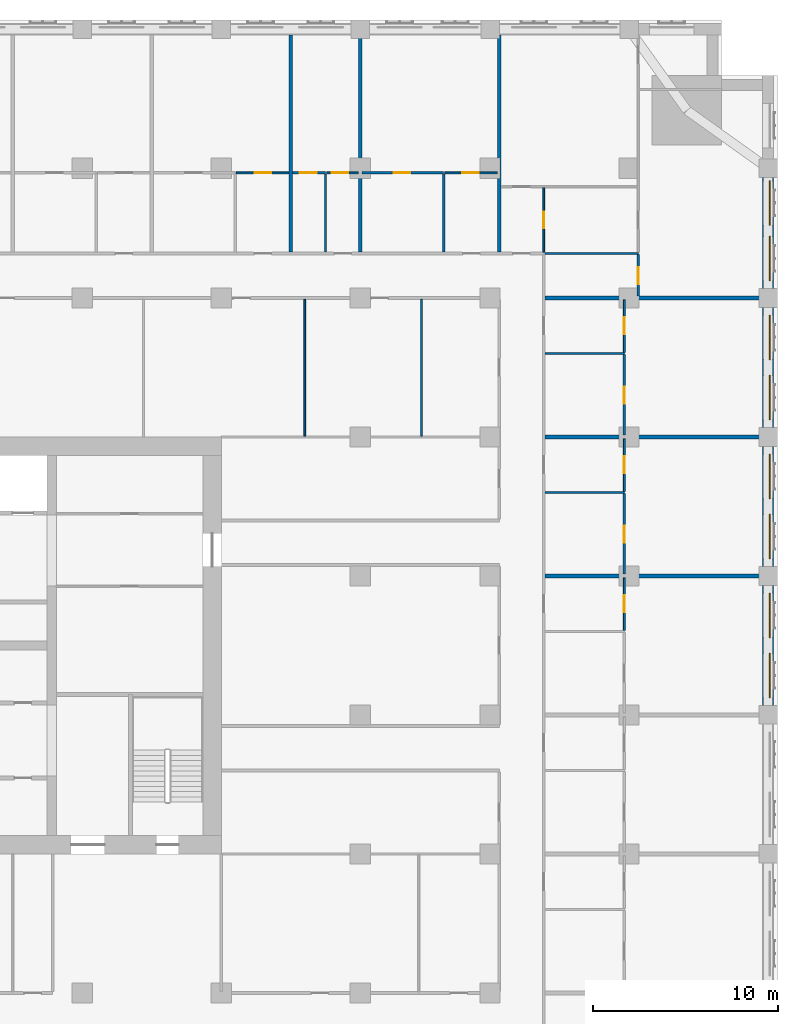
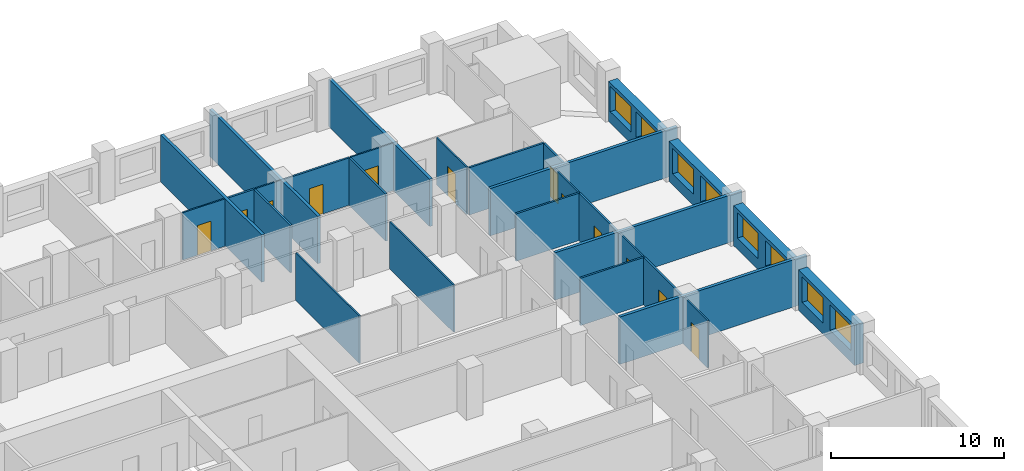
# One storey, part 10 of 14: 29 walls, 12 doors, 8 windows, 20 openings.
"""IFC4 building model written with IfcOpenShell, lengths in metres."""

from ifc_helpers import new_model, si_unit, direction, frame, frame_2d, origin, place, context, subcontext, project, spatial, rectangle, extrude, material, layer, layer_set, type_object, element, fill, save


model = new_model("IFC4")

# Units and contexts
model_context = context("Model", 3, precision=1e-05, world=origin(), true_north=direction((0.0, 1.0)))
body_context = subcontext(model_context, "Body", "Model", "MODEL_VIEW")
ifc_project = project(units=[si_unit("LENGTHUNIT", "METRE"), si_unit("AREAUNIT", "SQUARE_METRE"), si_unit("VOLUMEUNIT", "CUBIC_METRE"), si_unit("PLANEANGLEUNIT", "RADIAN"), si_unit("MASSUNIT", "GRAM", prefix="KILO")], contexts=[model_context])

# Site, building, storey
site_placement = place(None, origin())
site = spatial("IfcSite", under=ifc_project, at=site_placement, CompositionType="ELEMENT")
building_placement = place(site_placement, origin())
building = spatial("IfcBuilding", under=site, at=building_placement, Name="Tamorin Gate", CompositionType="ELEMENT")
storey_placement = place(building_placement, frame((0.0, 0.0, 100.699951171875)))
storey = spatial("IfcBuildingStorey", under=building, at=storey_placement, Name="L24", CompositionType="ELEMENT", Elevation=100.699951171875)

# Wall, openings, windows
ifc_material_1 = material(Name="Precast concrete C40/50", Category="concrete")
ifc_layer_1 = layer(ifc_material_1, 0.60009765625)
ifc_layer_set_1 = layer_set([ifc_layer_1], Name="Precast concrete C40/50")
wall_type_1 = type_object("IfcWallType", Name="Board-marked concrete facade panel 600", PredefinedType="SOLIDWALL", material=ifc_layer_set_1)
wall_1_placement = place(storey_placement, frame((89.5, 68.0, 0.0), z_axis=(0.0, 0.0, 1.0), x_axis=(0.0, 1.0, 0.0)))
wall_1 = element("IfcWall", 1, at=wall_1_placement, inside=storey, type_object=wall_type_1, Name="Facade panel", PredefinedType="SOLIDWALL", context=body_context, shape_type="SweptSolid", body=[
    extrude(rectangle(XDim=6.5, YDim=0.60009765625, at=frame_2d((3.25, 0.0))), origin(), (0.0, 0.0, 1.0), 2.85009765625),
])
opening_1_placement = place(wall_1_placement, frame((0.425048828125, 0.0, 0.800048828125)))
opening_1 = element("IfcOpeningElement", 2, at=opening_1_placement, cuts=wall_1, Name="Opening WN1", PredefinedType="OPENING", context=body_context, shape_type="SweptSolid", body=[
    extrude(rectangle(XDim=2.39990234375, YDim=1.800048828125, at=frame_2d((1.199951171875, 0.89990234375))), frame((0.0, 0.31005859375, 0.0), z_axis=(0.0, -1.0, 0.0), x_axis=(1.0, 0.0, 0.0)), (0.0, 0.0, 1.0), 0.6201171875),
])
opening_2_placement = place(wall_1_placement, frame((3.675048828125, 0.0, 0.800048828125)))
opening_2 = element("IfcOpeningElement", 3, at=opening_2_placement, cuts=wall_1, Name="Opening WN1", PredefinedType="OPENING", context=body_context, shape_type="SweptSolid", body=[
    extrude(rectangle(XDim=2.39990234375, YDim=1.800048828125, at=frame_2d((1.199951171875, 0.89990234375))), frame((0.0, 0.31005859375, 0.0), z_axis=(0.0, -1.0, 0.0), x_axis=(1.0, 0.0, 0.0)), (0.0, 0.0, 1.0), 0.6201171875),
])
ifc_material_2 = material(Name="Clear glass in aluminium frame", Category="aluminium")
window_type = type_object("IfcWindowType", Name="Deep-set window 2400x1800", PartitioningType="SINGLE_PANEL", PredefinedType="WINDOW", material=ifc_material_2)
window_1_placement = place(opening_1_placement, origin())
window_1 = element("IfcWindow", 4, at=window_1_placement, inside=storey, type_object=window_type, Name="Deep-set window", OverallHeight=1.800048828125, OverallWidth=2.39990234375, PartitioningType="SINGLE_PANEL", PredefinedType="WINDOW", context=body_context, shape_type="SweptSolid", body=[
    extrude(rectangle(XDim=2.39990234375, YDim=1.800048828125, at=frame_2d((1.199951171875, 0.89990234375))), frame((0.0, -0.070068359375, 0.0), z_axis=(0.0, -1.0, 0.0), x_axis=(1.0, 0.0, 0.0)), (0.0, 0.0, 1.0), 0.06005859375),
])
fill(opening_1, window_1)
window_2_placement = place(opening_2_placement, origin())
window_2 = element("IfcWindow", 5, at=window_2_placement, inside=storey, type_object=window_type, Name="Deep-set window", OverallHeight=1.800048828125, OverallWidth=2.39990234375, PartitioningType="SINGLE_PANEL", PredefinedType="WINDOW", context=body_context, shape_type="SweptSolid", body=[
    extrude(rectangle(XDim=2.39990234375, YDim=1.800048828125, at=frame_2d((1.199951171875, 0.89990234375))), frame((0.0, -0.070068359375, 0.0), z_axis=(0.0, -1.0, 0.0), x_axis=(1.0, 0.0, 0.0)), (0.0, 0.0, 1.0), 0.06005859375),
])
fill(opening_2, window_2)

wall_2_placement = place(storey_placement, frame((89.5, 75.5, 0.0), z_axis=(0.0, 0.0, 1.0), x_axis=(0.0, 1.0, 0.0)))
wall_2 = element("IfcWall", 6, at=wall_2_placement, inside=storey, type_object=wall_type_1, Name="Facade panel", PredefinedType="SOLIDWALL", context=body_context, shape_type="SweptSolid", body=[
    extrude(rectangle(XDim=6.5, YDim=0.60009765625, at=frame_2d((3.25, 0.0))), origin(), (0.0, 0.0, 1.0), 2.85009765625),
])
opening_3_placement = place(wall_2_placement, frame((0.425048828125, 0.0, 0.800048828125)))
opening_3 = element("IfcOpeningElement", 7, at=opening_3_placement, cuts=wall_2, Name="Opening WN1", PredefinedType="OPENING", context=body_context, shape_type="SweptSolid", body=[
    extrude(rectangle(XDim=2.39990234375, YDim=1.800048828125, at=frame_2d((1.199951171875, 0.89990234375))), frame((0.0, 0.31005859375, 0.0), z_axis=(0.0, -1.0, 0.0), x_axis=(1.0, 0.0, 0.0)), (0.0, 0.0, 1.0), 0.6201171875),
])
opening_4_placement = place(wall_2_placement, frame((3.675048828125, 0.0, 0.800048828125)))
opening_4 = element("IfcOpeningElement", 8, at=opening_4_placement, cuts=wall_2, Name="Opening WN1", PredefinedType="OPENING", context=body_context, shape_type="SweptSolid", body=[
    extrude(rectangle(XDim=2.39990234375, YDim=1.800048828125, at=frame_2d((1.199951171875, 0.89990234375))), frame((0.0, 0.31005859375, 0.0), z_axis=(0.0, -1.0, 0.0), x_axis=(1.0, 0.0, 0.0)), (0.0, 0.0, 1.0), 0.6201171875),
])
window_3_placement = place(opening_3_placement, origin())
window_3 = element("IfcWindow", 9, at=window_3_placement, inside=storey, type_object=window_type, Name="Deep-set window", OverallHeight=1.800048828125, OverallWidth=2.39990234375, PartitioningType="SINGLE_PANEL", PredefinedType="WINDOW", context=body_context, shape_type="SweptSolid", body=[
    extrude(rectangle(XDim=2.39990234375, YDim=1.800048828125, at=frame_2d((1.199951171875, 0.89990234375))), frame((0.0, -0.070068359375, 0.0), z_axis=(0.0, -1.0, 0.0), x_axis=(1.0, 0.0, 0.0)), (0.0, 0.0, 1.0), 0.06005859375),
])
fill(opening_3, window_3)
window_4_placement = place(opening_4_placement, origin())
window_4 = element("IfcWindow", 10, at=window_4_placement, inside=storey, type_object=window_type, Name="Deep-set window", OverallHeight=1.800048828125, OverallWidth=2.39990234375, PartitioningType="SINGLE_PANEL", PredefinedType="WINDOW", context=body_context, shape_type="SweptSolid", body=[
    extrude(rectangle(XDim=2.39990234375, YDim=1.800048828125, at=frame_2d((1.199951171875, 0.89990234375))), frame((0.0, -0.070068359375, 0.0), z_axis=(0.0, -1.0, 0.0), x_axis=(1.0, 0.0, 0.0)), (0.0, 0.0, 1.0), 0.06005859375),
])
fill(opening_4, window_4)

wall_3_placement = place(storey_placement, frame((89.5, 83.0, 0.0), z_axis=(0.0, 0.0, 1.0), x_axis=(0.0, 1.0, 0.0)))
wall_3 = element("IfcWall", 11, at=wall_3_placement, inside=storey, type_object=wall_type_1, Name="Facade panel", PredefinedType="SOLIDWALL", context=body_context, shape_type="SweptSolid", body=[
    extrude(rectangle(XDim=6.5, YDim=0.60009765625, at=frame_2d((3.25, 0.0))), origin(), (0.0, 0.0, 1.0), 2.85009765625),
])
opening_5_placement = place(wall_3_placement, frame((0.425048828125, 0.0, 0.800048828125)))
opening_5 = element("IfcOpeningElement", 12, at=opening_5_placement, cuts=wall_3, Name="Opening WN1", PredefinedType="OPENING", context=body_context, shape_type="SweptSolid", body=[
    extrude(rectangle(XDim=2.39990234375, YDim=1.800048828125, at=frame_2d((1.199951171875, 0.89990234375))), frame((0.0, 0.31005859375, 0.0), z_axis=(0.0, -1.0, 0.0), x_axis=(1.0, 0.0, 0.0)), (0.0, 0.0, 1.0), 0.6201171875),
])
opening_6_placement = place(wall_3_placement, frame((3.675048828125, 0.0, 0.800048828125)))
opening_6 = element("IfcOpeningElement", 13, at=opening_6_placement, cuts=wall_3, Name="Opening WN1", PredefinedType="OPENING", context=body_context, shape_type="SweptSolid", body=[
    extrude(rectangle(XDim=2.39990234375, YDim=1.800048828125, at=frame_2d((1.199951171875, 0.89990234375))), frame((0.0, 0.31005859375, 0.0), z_axis=(0.0, -1.0, 0.0), x_axis=(1.0, 0.0, 0.0)), (0.0, 0.0, 1.0), 0.6201171875),
])
window_5_placement = place(opening_5_placement, origin())
window_5 = element("IfcWindow", 14, at=window_5_placement, inside=storey, type_object=window_type, Name="Deep-set window", OverallHeight=1.800048828125, OverallWidth=2.39990234375, PartitioningType="SINGLE_PANEL", PredefinedType="WINDOW", context=body_context, shape_type="SweptSolid", body=[
    extrude(rectangle(XDim=2.39990234375, YDim=1.800048828125, at=frame_2d((1.199951171875, 0.89990234375))), frame((0.0, -0.070068359375, 0.0), z_axis=(0.0, -1.0, 0.0), x_axis=(1.0, 0.0, 0.0)), (0.0, 0.0, 1.0), 0.06005859375),
])
fill(opening_5, window_5)
window_6_placement = place(opening_6_placement, origin())
window_6 = element("IfcWindow", 15, at=window_6_placement, inside=storey, type_object=window_type, Name="Deep-set window", OverallHeight=1.800048828125, OverallWidth=2.39990234375, PartitioningType="SINGLE_PANEL", PredefinedType="WINDOW", context=body_context, shape_type="SweptSolid", body=[
    extrude(rectangle(XDim=2.39990234375, YDim=1.800048828125, at=frame_2d((1.199951171875, 0.89990234375))), frame((0.0, -0.070068359375, 0.0), z_axis=(0.0, -1.0, 0.0), x_axis=(1.0, 0.0, 0.0)), (0.0, 0.0, 1.0), 0.06005859375),
])
fill(opening_6, window_6)

wall_4_placement = place(storey_placement, frame((89.5, 90.5, 0.0), z_axis=(0.0, 0.0, 1.0), x_axis=(0.0, 1.0, 0.0)))
wall_4 = element("IfcWall", 16, at=wall_4_placement, inside=storey, type_object=wall_type_1, Name="Facade panel", PredefinedType="SOLIDWALL", context=body_context, shape_type="SweptSolid", body=[
    extrude(rectangle(XDim=6.0, YDim=0.60009765625, at=frame_2d((3.0, 0.0))), origin(), (0.0, 0.0, 1.0), 2.85009765625),
])
opening_7_placement = place(wall_4_placement, frame((0.425048828125, 0.0, 0.800048828125)))
opening_7 = element("IfcOpeningElement", 17, at=opening_7_placement, cuts=wall_4, Name="Opening WN1", PredefinedType="OPENING", context=body_context, shape_type="SweptSolid", body=[
    extrude(rectangle(XDim=2.39990234375, YDim=1.800048828125, at=frame_2d((1.199951171875, 0.89990234375))), frame((0.0, 0.31005859375, 0.0), z_axis=(0.0, -1.0, 0.0), x_axis=(1.0, 0.0, 0.0)), (0.0, 0.0, 1.0), 0.6201171875),
])
opening_8_placement = place(wall_4_placement, frame((3.425048828125, 0.0, 0.800048828125)))
opening_8 = element("IfcOpeningElement", 18, at=opening_8_placement, cuts=wall_4, Name="Opening WN1", PredefinedType="OPENING", context=body_context, shape_type="SweptSolid", body=[
    extrude(rectangle(XDim=2.39990234375, YDim=1.800048828125, at=frame_2d((1.199951171875, 0.89990234375))), frame((0.0, 0.31005859375, 0.0), z_axis=(0.0, -1.0, 0.0), x_axis=(1.0, 0.0, 0.0)), (0.0, 0.0, 1.0), 0.6201171875),
])
window_7_placement = place(opening_7_placement, origin())
window_7 = element("IfcWindow", 19, at=window_7_placement, inside=storey, type_object=window_type, Name="Deep-set window", OverallHeight=1.800048828125, OverallWidth=2.39990234375, PartitioningType="SINGLE_PANEL", PredefinedType="WINDOW", context=body_context, shape_type="SweptSolid", body=[
    extrude(rectangle(XDim=2.39990234375, YDim=1.800048828125, at=frame_2d((1.199951171875, 0.89990234375))), frame((0.0, -0.070068359375, 0.0), z_axis=(0.0, -1.0, 0.0), x_axis=(1.0, 0.0, 0.0)), (0.0, 0.0, 1.0), 0.06005859375),
])
fill(opening_7, window_7)
window_8_placement = place(opening_8_placement, origin())
window_8 = element("IfcWindow", 20, at=window_8_placement, inside=storey, type_object=window_type, Name="Deep-set window", OverallHeight=1.800048828125, OverallWidth=2.39990234375, PartitioningType="SINGLE_PANEL", PredefinedType="WINDOW", context=body_context, shape_type="SweptSolid", body=[
    extrude(rectangle(XDim=2.39990234375, YDim=1.800048828125, at=frame_2d((1.199951171875, 0.89990234375))), frame((0.0, -0.070068359375, 0.0), z_axis=(0.0, -1.0, 0.0), x_axis=(1.0, 0.0, 0.0)), (0.0, 0.0, 1.0), 0.06005859375),
])
fill(opening_8, window_8)

# Walls
ifc_material_3 = material(Name="Gypsum board partition")
ifc_layer_2 = layer(ifc_material_3, 0.199951171875)
ifc_layer_set_2 = layer_set([ifc_layer_2], Name="Demising wall 200")
wall_type_2 = type_object("IfcWallType", Name="Demising wall 200", PredefinedType="PARTITIONING", material=ifc_layer_set_2)
for number, where, z_axis, x_axis, name in (
    (21, (77.47509765625, 75.0, 0.0), (0.0, 0.0, 1.0), (1.0, 0.0, 0.0), "Demising wall 200"),
    (22, (77.47509765625, 82.5, 0.0), (0.0, 0.0, 1.0), (1.0, 0.0, 0.0), "Demising wall 200"),
    (23, (77.47509765625, 90.0, 0.0), (0.0, 0.0, 1.0), (1.0, 0.0, 0.0), "Demising wall 200"),
):
    element("IfcWall", number, at=place(storey_placement, frame(where, z_axis=z_axis, x_axis=x_axis)), inside=storey, type_object=wall_type_2, Name=name, PredefinedType="PARTITIONING", context=body_context, shape_type="SweptSolid", body=[
        extrude(rectangle(XDim=12.52490234375, YDim=0.199951171875, at=frame_2d((6.262451171875, 0.0))), origin(), (0.0, 0.0, 1.0), 3.35009765625),
    ])
wall_5_placement = place(storey_placement, frame((63.75, 92.47509765625, 0.0), z_axis=(0.0, 0.0, 1.0), x_axis=(0.0, 1.0, 0.0)))
element("IfcWall", 24, at=wall_5_placement, inside=storey, type_object=wall_type_2, Name="Demising wall 200", PredefinedType="PARTITIONING", context=body_context, shape_type="SweptSolid", body=[
    extrude(rectangle(XDim=11.71484375, YDim=0.199951171875, at=frame_2d((5.857421875, 0.0))), origin(), (0.0, 0.0, 1.0), 3.35009765625),
])
wall_6_placement = place(storey_placement, frame((67.5, 92.47509765625, 0.0), z_axis=(0.0, 0.0, 1.0), x_axis=(0.0, 1.0, 0.0)))
element("IfcWall", 25, at=wall_6_placement, inside=storey, type_object=wall_type_2, Name="Demising wall 200", PredefinedType="PARTITIONING", context=body_context, shape_type="SweptSolid", body=[
    extrude(rectangle(XDim=12.52490234375, YDim=0.199951171875, at=frame_2d((6.262451171875, 0.0))), origin(), (0.0, 0.0, 1.0), 3.35009765625),
])
wall_7_placement = place(storey_placement, frame((75.0, 92.47509765625, 0.0), z_axis=(0.0, 0.0, 1.0), x_axis=(0.0, 1.0, 0.0)))
element("IfcWall", 26, at=wall_7_placement, inside=storey, type_object=wall_type_2, Name="Demising wall 200", PredefinedType="PARTITIONING", context=body_context, shape_type="SweptSolid", body=[
    extrude(rectangle(XDim=11.71484375, YDim=0.199951171875, at=frame_2d((5.857421875, 0.0))), origin(), (0.0, 0.0, 1.0), 3.35009765625),
])

# Wall, opening, door
ifc_layer_3 = layer(ifc_material_3, 0.10009765625)
ifc_layer_set_3 = layer_set([ifc_layer_3], Name="Room partition 100")
wall_type_3 = type_object("IfcWallType", Name="Room partition 100", PredefinedType="PARTITIONING", material=ifc_layer_set_3)
wall_8_placement = place(storey_placement, frame((60.8125, 96.75, 0.0), z_axis=(0.0, 0.0, 1.0), x_axis=(1.0, 0.0, 0.0)))
wall_8 = element("IfcWall", 27, at=wall_8_placement, inside=storey, type_object=wall_type_3, Name="Room partition 100", PredefinedType="PARTITIONING", context=body_context, shape_type="SweptSolid", body=[
    extrude(rectangle(XDim=2.83740234375, YDim=0.10009765625, at=frame_2d((1.418701171875, 0.0))), origin(), (0.0, 0.0, 1.0), 3.35009765625),
])
opening_9_placement = place(wall_8_placement, frame((0.987548828125, 0.0, 0.0)))
opening_9 = element("IfcOpeningElement", 28, at=opening_9_placement, cuts=wall_8, Name="Opening DH7032", PredefinedType="OPENING", context=body_context, shape_type="SweptSolid", body=[
    extrude(rectangle(XDim=0.89990234375, YDim=2.10009765625, at=frame_2d((0.449951171875, 1.050048828125))), frame((0.0, 0.06005859375, 0.0), z_axis=(0.0, -1.0, 0.0), x_axis=(1.0, 0.0, 0.0)), (0.0, 0.0, 1.0), 0.1201171875),
])
ifc_material_4 = material(Name="Timber door leaf", Category="wood")
door_type = type_object("IfcDoorType", Name="Door 900 x 2100", OperationType="NOTDEFINED", PredefinedType="DOOR", material=ifc_material_4)
door_1_placement = place(opening_9_placement, origin())
door_1 = element("IfcDoor", 29, at=door_1_placement, inside=storey, type_object=door_type, Name="Door DH7032", OperationType="SINGLE_SWING_RIGHT", OverallHeight=2.10009765625, OverallWidth=0.89990234375, PredefinedType="DOOR", context=body_context, shape_type="SweptSolid", body=[
    extrude(rectangle(XDim=0.89990234375, YDim=2.10009765625, at=frame_2d((0.449951171875, 1.050048828125))), frame((0.0, 0.02490234375, 0.0), z_axis=(0.0, -1.0, 0.0), x_axis=(1.0, 0.0, 0.0)), (0.0, 0.0, 1.0), 0.050048828125),
])
fill(opening_9, door_1)

wall_9_placement = place(storey_placement, frame((65.6875, 96.75, 0.0), z_axis=(0.0, 0.0, 1.0), x_axis=(1.0, 0.0, 0.0)))
wall_9 = element("IfcWall", 30, at=wall_9_placement, inside=storey, type_object=wall_type_3, Name="Room partition 100", PredefinedType="PARTITIONING", context=body_context, shape_type="SweptSolid", body=[
    extrude(rectangle(XDim=1.71240234375, YDim=0.10009765625, at=frame_2d((0.856201171875, 0.0))), origin(), (0.0, 0.0, 1.0), 3.35009765625),
])
opening_10_placement = place(wall_9_placement, frame((0.27490234375, 0.0, 0.0)))
opening_10 = element("IfcOpeningElement", 31, at=opening_10_placement, cuts=wall_9, Name="Opening DH7035", PredefinedType="OPENING", context=body_context, shape_type="SweptSolid", body=[
    extrude(rectangle(XDim=0.89990234375, YDim=2.10009765625, at=frame_2d((0.449951171875, 1.050048828125))), frame((0.0, 0.06005859375, 0.0), z_axis=(0.0, -1.0, 0.0), x_axis=(1.0, 0.0, 0.0)), (0.0, 0.0, 1.0), 0.1201171875),
])
door_2_placement = place(opening_10_placement, origin())
door_2 = element("IfcDoor", 32, at=door_2_placement, inside=storey, type_object=door_type, Name="Door DH7035", OperationType="SINGLE_SWING_RIGHT", OverallHeight=2.10009765625, OverallWidth=0.89990234375, PredefinedType="DOOR", context=body_context, shape_type="SweptSolid", body=[
    extrude(rectangle(XDim=0.89990234375, YDim=2.10009765625, at=frame_2d((0.449951171875, 1.050048828125))), frame((0.0, 0.02490234375, 0.0), z_axis=(0.0, -1.0, 0.0), x_axis=(1.0, 0.0, 0.0)), (0.0, 0.0, 1.0), 0.050048828125),
])
fill(opening_10, door_2)

wall_10_placement = place(storey_placement, frame((72.0625, 96.75, 0.0), z_axis=(0.0, 0.0, 1.0), x_axis=(1.0, 0.0, 0.0)))
wall_10 = element("IfcWall", 33, at=wall_10_placement, inside=storey, type_object=wall_type_3, Name="Room partition 100", PredefinedType="PARTITIONING", context=body_context, shape_type="SweptSolid", body=[
    extrude(rectangle(XDim=2.83740234375, YDim=0.10009765625, at=frame_2d((1.418701171875, 0.0))), origin(), (0.0, 0.0, 1.0), 3.35009765625),
])
opening_11_placement = place(wall_10_placement, frame((0.9375, 0.0, 0.0)))
opening_11 = element("IfcOpeningElement", 34, at=opening_11_placement, cuts=wall_10, Name="Opening DH7038", PredefinedType="OPENING", context=body_context, shape_type="SweptSolid", body=[
    extrude(rectangle(XDim=0.89990234375, YDim=2.10009765625, at=frame_2d((0.449951171875, 1.050048828125))), frame((0.0, 0.06005859375, 0.0), z_axis=(0.0, -1.0, 0.0), x_axis=(1.0, 0.0, 0.0)), (0.0, 0.0, 1.0), 0.1201171875),
])
door_3_placement = place(opening_11_placement, origin())
door_3 = element("IfcDoor", 35, at=door_3_placement, inside=storey, type_object=door_type, Name="Door DH7038", OperationType="SINGLE_SWING_RIGHT", OverallHeight=2.10009765625, OverallWidth=0.89990234375, PredefinedType="DOOR", context=body_context, shape_type="SweptSolid", body=[
    extrude(rectangle(XDim=0.89990234375, YDim=2.10009765625, at=frame_2d((0.449951171875, 1.050048828125))), frame((0.0, 0.02490234375, 0.0), z_axis=(0.0, -1.0, 0.0), x_axis=(1.0, 0.0, 0.0)), (0.0, 0.0, 1.0), 0.050048828125),
])
fill(opening_11, door_3)

# Walls
for number, where, z_axis, x_axis, name in (
    (36, (64.5, 82.550048828125, 0.0), (0.0, 0.0, 1.0), (0.0, 1.0, 0.0), "Room partition 100"),
    (37, (70.800048828125, 82.550048828125, 0.0), (0.0, 0.0, 1.0), (0.0, 1.0, 0.0), "Room partition 100"),
):
    element("IfcWall", number, at=place(storey_placement, frame(where, z_axis=z_axis, x_axis=x_axis)), inside=storey, type_object=wall_type_3, Name=name, PredefinedType="PARTITIONING", context=body_context, shape_type="SweptSolid", body=[
        extrude(rectangle(XDim=7.375, YDim=0.10009765625, at=frame_2d((3.6875, 0.0))), origin(), (0.0, 0.0, 1.0), 3.35009765625),
    ])

# Wall, opening, door
wall_11_placement = place(storey_placement, frame((77.39990234375, 92.47509765625, 0.0), z_axis=(0.0, 0.0, 1.0), x_axis=(0.0, 1.0, 0.0)))
wall_11 = element("IfcWall", 38, at=wall_11_placement, inside=storey, type_object=wall_type_3, Name="Room partition 100", PredefinedType="PARTITIONING", context=body_context, shape_type="SweptSolid", body=[
    extrude(rectangle(XDim=3.474853515625, YDim=0.10009765625, at=frame_2d((1.7373046875, 0.0))), origin(), (0.0, 0.0, 1.0), 3.35009765625),
])
opening_12_placement = place(wall_11_placement, frame((1.27490234375, 0.0, 0.0)))
opening_12 = element("IfcOpeningElement", 39, at=opening_12_placement, cuts=wall_11, Name="Opening DH7062", PredefinedType="OPENING", context=body_context, shape_type="SweptSolid", body=[
    extrude(rectangle(XDim=0.89990234375, YDim=2.10009765625, at=frame_2d((0.449951171875, 1.050048828125))), frame((0.0, 0.06005859375, 0.0), z_axis=(0.0, -1.0, 0.0), x_axis=(1.0, 0.0, 0.0)), (0.0, 0.0, 1.0), 0.1201171875),
])
door_4_placement = place(opening_12_placement, origin())
door_4 = element("IfcDoor", 40, at=door_4_placement, inside=storey, type_object=door_type, Name="Door DH7062", OperationType="SINGLE_SWING_RIGHT", OverallHeight=2.10009765625, OverallWidth=0.89990234375, PredefinedType="DOOR", context=body_context, shape_type="SweptSolid", body=[
    extrude(rectangle(XDim=0.89990234375, YDim=2.10009765625, at=frame_2d((0.449951171875, 1.050048828125))), frame((0.0, 0.02490234375, 0.0), z_axis=(0.0, -1.0, 0.0), x_axis=(1.0, 0.0, 0.0)), (0.0, 0.0, 1.0), 0.050048828125),
])
fill(opening_12, door_4)

wall_12_placement = place(storey_placement, frame((81.75, 72.0625, 0.0), z_axis=(0.0, 0.0, 1.0), x_axis=(0.0, 1.0, 0.0)))
wall_12 = element("IfcWall", 41, at=wall_12_placement, inside=storey, type_object=wall_type_3, Name="Room partition 100", PredefinedType="PARTITIONING", context=body_context, shape_type="SweptSolid", body=[
    extrude(rectangle(XDim=2.83740234375, YDim=0.10009765625, at=frame_2d((1.418701171875, 0.0))), origin(), (0.0, 0.0, 1.0), 3.35009765625),
])
opening_13_placement = place(wall_12_placement, frame((0.987548828125, 0.0, 0.0)))
opening_13 = element("IfcOpeningElement", 42, at=opening_13_placement, cuts=wall_12, Name="Opening DH7047", PredefinedType="OPENING", context=body_context, shape_type="SweptSolid", body=[
    extrude(rectangle(XDim=0.89990234375, YDim=2.10009765625, at=frame_2d((0.449951171875, 1.050048828125))), frame((0.0, 0.06005859375, 0.0), z_axis=(0.0, -1.0, 0.0), x_axis=(1.0, 0.0, 0.0)), (0.0, 0.0, 1.0), 0.1201171875),
])
door_5_placement = place(opening_13_placement, origin())
door_5 = element("IfcDoor", 43, at=door_5_placement, inside=storey, type_object=door_type, Name="Door DH7047", OperationType="SINGLE_SWING_LEFT", OverallHeight=2.10009765625, OverallWidth=0.89990234375, PredefinedType="DOOR", context=body_context, shape_type="SweptSolid", body=[
    extrude(rectangle(XDim=0.89990234375, YDim=2.10009765625, at=frame_2d((0.449951171875, 1.050048828125))), frame((0.0, 0.02490234375, 0.0), z_axis=(0.0, -1.0, 0.0), x_axis=(1.0, 0.0, 0.0)), (0.0, 0.0, 1.0), 0.050048828125),
])
fill(opening_13, door_5)

wall_13_placement = place(storey_placement, frame((81.75, 79.5625, 0.0), z_axis=(0.0, 0.0, 1.0), x_axis=(0.0, 1.0, 0.0)))
wall_13 = element("IfcWall", 44, at=wall_13_placement, inside=storey, type_object=wall_type_3, Name="Room partition 100", PredefinedType="PARTITIONING", context=body_context, shape_type="SweptSolid", body=[
    extrude(rectangle(XDim=2.83740234375, YDim=0.10009765625, at=frame_2d((1.418701171875, 0.0))), origin(), (0.0, 0.0, 1.0), 3.35009765625),
])
opening_14_placement = place(wall_13_placement, frame((0.987548828125, 0.0, 0.0)))
opening_14 = element("IfcOpeningElement", 45, at=opening_14_placement, cuts=wall_13, Name="Opening DH7050", PredefinedType="OPENING", context=body_context, shape_type="SweptSolid", body=[
    extrude(rectangle(XDim=0.89990234375, YDim=2.10009765625, at=frame_2d((0.449951171875, 1.050048828125))), frame((0.0, 0.06005859375, 0.0), z_axis=(0.0, -1.0, 0.0), x_axis=(1.0, 0.0, 0.0)), (0.0, 0.0, 1.0), 0.1201171875),
])
door_6_placement = place(opening_14_placement, origin())
door_6 = element("IfcDoor", 46, at=door_6_placement, inside=storey, type_object=door_type, Name="Door DH7050", OperationType="SINGLE_SWING_LEFT", OverallHeight=2.10009765625, OverallWidth=0.89990234375, PredefinedType="DOOR", context=body_context, shape_type="SweptSolid", body=[
    extrude(rectangle(XDim=0.89990234375, YDim=2.10009765625, at=frame_2d((0.449951171875, 1.050048828125))), frame((0.0, 0.02490234375, 0.0), z_axis=(0.0, -1.0, 0.0), x_axis=(1.0, 0.0, 0.0)), (0.0, 0.0, 1.0), 0.050048828125),
])
fill(opening_14, door_6)

wall_14_placement = place(storey_placement, frame((81.75, 87.0625, 0.0), z_axis=(0.0, 0.0, 1.0), x_axis=(0.0, 1.0, 0.0)))
wall_14 = element("IfcWall", 47, at=wall_14_placement, inside=storey, type_object=wall_type_3, Name="Room partition 100", PredefinedType="PARTITIONING", context=body_context, shape_type="SweptSolid", body=[
    extrude(rectangle(XDim=2.83740234375, YDim=0.10009765625, at=frame_2d((1.418701171875, 0.0))), origin(), (0.0, 0.0, 1.0), 3.35009765625),
])
opening_15_placement = place(wall_14_placement, frame((0.987548828125, 0.0, 0.0)))
opening_15 = element("IfcOpeningElement", 48, at=opening_15_placement, cuts=wall_14, Name="Opening DH7053", PredefinedType="OPENING", context=body_context, shape_type="SweptSolid", body=[
    extrude(rectangle(XDim=0.89990234375, YDim=2.10009765625, at=frame_2d((0.449951171875, 1.050048828125))), frame((0.0, 0.06005859375, 0.0), z_axis=(0.0, -1.0, 0.0), x_axis=(1.0, 0.0, 0.0)), (0.0, 0.0, 1.0), 0.1201171875),
])
door_7_placement = place(opening_15_placement, origin())
door_7 = element("IfcDoor", 49, at=door_7_placement, inside=storey, type_object=door_type, Name="Door DH7053", OperationType="SINGLE_SWING_LEFT", OverallHeight=2.10009765625, OverallWidth=0.89990234375, PredefinedType="DOOR", context=body_context, shape_type="SweptSolid", body=[
    extrude(rectangle(XDim=0.89990234375, YDim=2.10009765625, at=frame_2d((0.449951171875, 1.050048828125))), frame((0.0, 0.02490234375, 0.0), z_axis=(0.0, -1.0, 0.0), x_axis=(1.0, 0.0, 0.0)), (0.0, 0.0, 1.0), 0.050048828125),
])
fill(opening_15, door_7)

# Walls
ifc_layer_4 = layer(ifc_material_3, 0.125)
ifc_layer_set_4 = layer_set([ifc_layer_4], Name="Wet wall 125")
wall_type_4 = type_object("IfcWallType", Name="Wet wall 125", PredefinedType="PARTITIONING", material=ifc_layer_set_4)
for number, where, z_axis, x_axis, name in (
    (50, (77.47509765625, 79.5, 0.0), (0.0, 0.0, 1.0), (1.0, 0.0, 0.0), "Wet wall 125"),
    (51, (77.47509765625, 87.0, 0.0), (0.0, 0.0, 1.0), (1.0, 0.0, 0.0), "Wet wall 125"),
):
    element("IfcWall", number, at=place(storey_placement, frame(where, z_axis=z_axis, x_axis=x_axis)), inside=storey, type_object=wall_type_4, Name=name, PredefinedType="PARTITIONING", context=body_context, shape_type="SweptSolid", body=[
        extrude(rectangle(XDim=4.27490234375, YDim=0.125, at=frame_2d((2.137451171875, 0.0))), origin(), (0.0, 0.0, 1.0), 3.35009765625),
    ])
wall_15_placement = place(storey_placement, frame((77.47509765625, 92.39990234375, 0.0), z_axis=(0.0, 0.0, 1.0), x_axis=(1.0, 0.0, 0.0)))
element("IfcWall", 52, at=wall_15_placement, inside=storey, type_object=wall_type_4, Name="Wet wall 125", PredefinedType="PARTITIONING", context=body_context, shape_type="SweptSolid", body=[
    extrude(rectangle(XDim=5.02490234375, YDim=0.125, at=frame_2d((2.512451171875, 0.0))), origin(), (0.0, 0.0, 1.0), 3.35009765625),
])

# Wall, opening, door
wall_16_placement = place(storey_placement, frame((63.85009765625, 96.75, 0.0), z_axis=(0.0, 0.0, 1.0), x_axis=(1.0, 0.0, 0.0)))
wall_16 = element("IfcWall", 53, at=wall_16_placement, inside=storey, type_object=wall_type_4, Name="Wet wall 125", PredefinedType="PARTITIONING", context=body_context, shape_type="SweptSolid", body=[
    extrude(rectangle(XDim=1.77490234375, YDim=0.125, at=frame_2d((0.887451171875, 0.0))), origin(), (0.0, 0.0, 1.0), 3.35009765625),
])
opening_16_placement = place(wall_16_placement, frame((0.387451171875, 0.0, 0.0)))
opening_16 = element("IfcOpeningElement", 54, at=opening_16_placement, cuts=wall_16, Name="Opening DH7033", PredefinedType="OPENING", context=body_context, shape_type="SweptSolid", body=[
    extrude(rectangle(XDim=0.89990234375, YDim=2.10009765625, at=frame_2d((0.449951171875, 1.050048828125))), frame((0.0, 0.072509765625, 0.0), z_axis=(0.0, -1.0, 0.0), x_axis=(1.0, 0.0, 0.0)), (0.0, 0.0, 1.0), 0.14501953125),
])
door_8_placement = place(opening_16_placement, origin())
door_8 = element("IfcDoor", 55, at=door_8_placement, inside=storey, type_object=door_type, Name="Door DH7033", OperationType="SINGLE_SWING_RIGHT", OverallHeight=2.10009765625, OverallWidth=0.89990234375, PredefinedType="DOOR", context=body_context, shape_type="SweptSolid", body=[
    extrude(rectangle(XDim=0.89990234375, YDim=2.10009765625, at=frame_2d((0.449951171875, 1.050048828125))), frame((0.0, 0.02490234375, 0.0), z_axis=(0.0, -1.0, 0.0), x_axis=(1.0, 0.0, 0.0)), (0.0, 0.0, 1.0), 0.050048828125),
])
fill(opening_16, door_8)

wall_17_placement = place(storey_placement, frame((67.60009765625, 96.75, 0.0), z_axis=(0.0, 0.0, 1.0), x_axis=(1.0, 0.0, 0.0)))
wall_17 = element("IfcWall", 56, at=wall_17_placement, inside=storey, type_object=wall_type_4, Name="Wet wall 125", PredefinedType="PARTITIONING", context=body_context, shape_type="SweptSolid", body=[
    extrude(rectangle(XDim=4.39990234375, YDim=0.125, at=frame_2d((2.199951171875, 0.0))), origin(), (0.0, 0.0, 1.0), 3.35009765625),
])
opening_17_placement = place(wall_17_placement, frame((1.699951171875, 0.0, 0.0)))
opening_17 = element("IfcOpeningElement", 57, at=opening_17_placement, cuts=wall_17, Name="Opening DH7036", PredefinedType="OPENING", context=body_context, shape_type="SweptSolid", body=[
    extrude(rectangle(XDim=0.89990234375, YDim=2.10009765625, at=frame_2d((0.449951171875, 1.050048828125))), frame((0.0, 0.072509765625, 0.0), z_axis=(0.0, -1.0, 0.0), x_axis=(1.0, 0.0, 0.0)), (0.0, 0.0, 1.0), 0.14501953125),
])
door_9_placement = place(opening_17_placement, origin())
door_9 = element("IfcDoor", 58, at=door_9_placement, inside=storey, type_object=door_type, Name="Door DH7036", OperationType="SINGLE_SWING_RIGHT", OverallHeight=2.10009765625, OverallWidth=0.89990234375, PredefinedType="DOOR", context=body_context, shape_type="SweptSolid", body=[
    extrude(rectangle(XDim=0.89990234375, YDim=2.10009765625, at=frame_2d((0.449951171875, 1.050048828125))), frame((0.0, 0.02490234375, 0.0), z_axis=(0.0, -1.0, 0.0), x_axis=(1.0, 0.0, 0.0)), (0.0, 0.0, 1.0), 0.050048828125),
])
fill(opening_17, door_9)

# Walls
for number, where, z_axis, x_axis, name in (
    (59, (65.625, 92.47509765625, 0.0), (0.0, 0.0, 1.0), (0.0, 1.0, 0.0), "Wet wall 125"),
    (60, (72.0, 92.47509765625, 0.0), (0.0, 0.0, 1.0), (0.0, 1.0, 0.0), "Wet wall 125"),
):
    element("IfcWall", number, at=place(storey_placement, frame(where, z_axis=z_axis, x_axis=x_axis)), inside=storey, type_object=wall_type_4, Name=name, PredefinedType="PARTITIONING", context=body_context, shape_type="SweptSolid", body=[
        extrude(rectangle(XDim=4.21240234375, YDim=0.125, at=frame_2d((2.106201171875, 0.0))), origin(), (0.0, 0.0, 1.0), 3.35009765625),
    ])

# Wall, opening, door
wall_18_placement = place(storey_placement, frame((81.75, 75.10009765625, 0.0), z_axis=(0.0, 0.0, 1.0), x_axis=(0.0, 1.0, 0.0)))
wall_18 = element("IfcWall", 61, at=wall_18_placement, inside=storey, type_object=wall_type_4, Name="Wet wall 125", PredefinedType="PARTITIONING", context=body_context, shape_type="SweptSolid", body=[
    extrude(rectangle(XDim=4.33740234375, YDim=0.125, at=frame_2d((2.168701171875, 0.0))), origin(), (0.0, 0.0, 1.0), 3.35009765625),
])
opening_18_placement = place(wall_18_placement, frame((1.699951171875, 0.0, 0.0)))
opening_18 = element("IfcOpeningElement", 62, at=opening_18_placement, cuts=wall_18, Name="Opening DH7048", PredefinedType="OPENING", context=body_context, shape_type="SweptSolid", body=[
    extrude(rectangle(XDim=0.89990234375, YDim=2.10009765625, at=frame_2d((0.449951171875, 1.050048828125))), frame((0.0, 0.072509765625, 0.0), z_axis=(0.0, -1.0, 0.0), x_axis=(1.0, 0.0, 0.0)), (0.0, 0.0, 1.0), 0.14501953125),
])
door_10_placement = place(opening_18_placement, origin())
door_10 = element("IfcDoor", 63, at=door_10_placement, inside=storey, type_object=door_type, Name="Door DH7048", OperationType="SINGLE_SWING_LEFT", OverallHeight=2.10009765625, OverallWidth=0.89990234375, PredefinedType="DOOR", context=body_context, shape_type="SweptSolid", body=[
    extrude(rectangle(XDim=0.89990234375, YDim=2.10009765625, at=frame_2d((0.449951171875, 1.050048828125))), frame((0.0, 0.02490234375, 0.0), z_axis=(0.0, -1.0, 0.0), x_axis=(1.0, 0.0, 0.0)), (0.0, 0.0, 1.0), 0.050048828125),
])
fill(opening_18, door_10)

wall_19_placement = place(storey_placement, frame((81.75, 82.60009765625, 0.0), z_axis=(0.0, 0.0, 1.0), x_axis=(0.0, 1.0, 0.0)))
wall_19 = element("IfcWall", 64, at=wall_19_placement, inside=storey, type_object=wall_type_4, Name="Wet wall 125", PredefinedType="PARTITIONING", context=body_context, shape_type="SweptSolid", body=[
    extrude(rectangle(XDim=4.33740234375, YDim=0.125, at=frame_2d((2.168701171875, 0.0))), origin(), (0.0, 0.0, 1.0), 3.35009765625),
])
opening_19_placement = place(wall_19_placement, frame((1.699951171875, 0.0, 0.0)))
opening_19 = element("IfcOpeningElement", 65, at=opening_19_placement, cuts=wall_19, Name="Opening DH7051", PredefinedType="OPENING", context=body_context, shape_type="SweptSolid", body=[
    extrude(rectangle(XDim=0.89990234375, YDim=2.10009765625, at=frame_2d((0.449951171875, 1.050048828125))), frame((0.0, 0.072509765625, 0.0), z_axis=(0.0, -1.0, 0.0), x_axis=(1.0, 0.0, 0.0)), (0.0, 0.0, 1.0), 0.14501953125),
])
door_11_placement = place(opening_19_placement, origin())
door_11 = element("IfcDoor", 66, at=door_11_placement, inside=storey, type_object=door_type, Name="Door DH7051", OperationType="SINGLE_SWING_LEFT", OverallHeight=2.10009765625, OverallWidth=0.89990234375, PredefinedType="DOOR", context=body_context, shape_type="SweptSolid", body=[
    extrude(rectangle(XDim=0.89990234375, YDim=2.10009765625, at=frame_2d((0.449951171875, 1.050048828125))), frame((0.0, 0.02490234375, 0.0), z_axis=(0.0, -1.0, 0.0), x_axis=(1.0, 0.0, 0.0)), (0.0, 0.0, 1.0), 0.050048828125),
])
fill(opening_19, door_11)

wall_20_placement = place(storey_placement, frame((82.5, 90.10009765625, 0.0), z_axis=(0.0, 0.0, 1.0), x_axis=(0.0, 1.0, 0.0)))
wall_20 = element("IfcWall", 67, at=wall_20_placement, inside=storey, type_object=wall_type_4, Name="Wet wall 125", PredefinedType="PARTITIONING", context=body_context, shape_type="SweptSolid", body=[
    extrude(rectangle(XDim=2.2373046875, YDim=0.125, at=frame_2d((1.11865234375, 0.0))), origin(), (0.0, 0.0, 1.0), 3.35009765625),
])
opening_20_placement = place(wall_20_placement, frame((0.64990234375, 0.0, 0.0)))
opening_20 = element("IfcOpeningElement", 68, at=opening_20_placement, cuts=wall_20, Name="Opening DH7065", PredefinedType="OPENING", context=body_context, shape_type="SweptSolid", body=[
    extrude(rectangle(XDim=0.89990234375, YDim=2.10009765625, at=frame_2d((0.449951171875, 1.050048828125))), frame((0.0, 0.072509765625, 0.0), z_axis=(0.0, -1.0, 0.0), x_axis=(1.0, 0.0, 0.0)), (0.0, 0.0, 1.0), 0.14501953125),
])
door_12_placement = place(opening_20_placement, origin())
door_12 = element("IfcDoor", 69, at=door_12_placement, inside=storey, type_object=door_type, Name="Door DH7065", OperationType="SINGLE_SWING_LEFT", OverallHeight=2.10009765625, OverallWidth=0.89990234375, PredefinedType="DOOR", context=body_context, shape_type="SweptSolid", body=[
    extrude(rectangle(XDim=0.89990234375, YDim=2.10009765625, at=frame_2d((0.449951171875, 1.050048828125))), frame((0.0, 0.02490234375, 0.0), z_axis=(0.0, -1.0, 0.0), x_axis=(1.0, 0.0, 0.0)), (0.0, 0.0, 1.0), 0.050048828125),
])
fill(opening_20, door_12)

save(model, "model.ifc")
